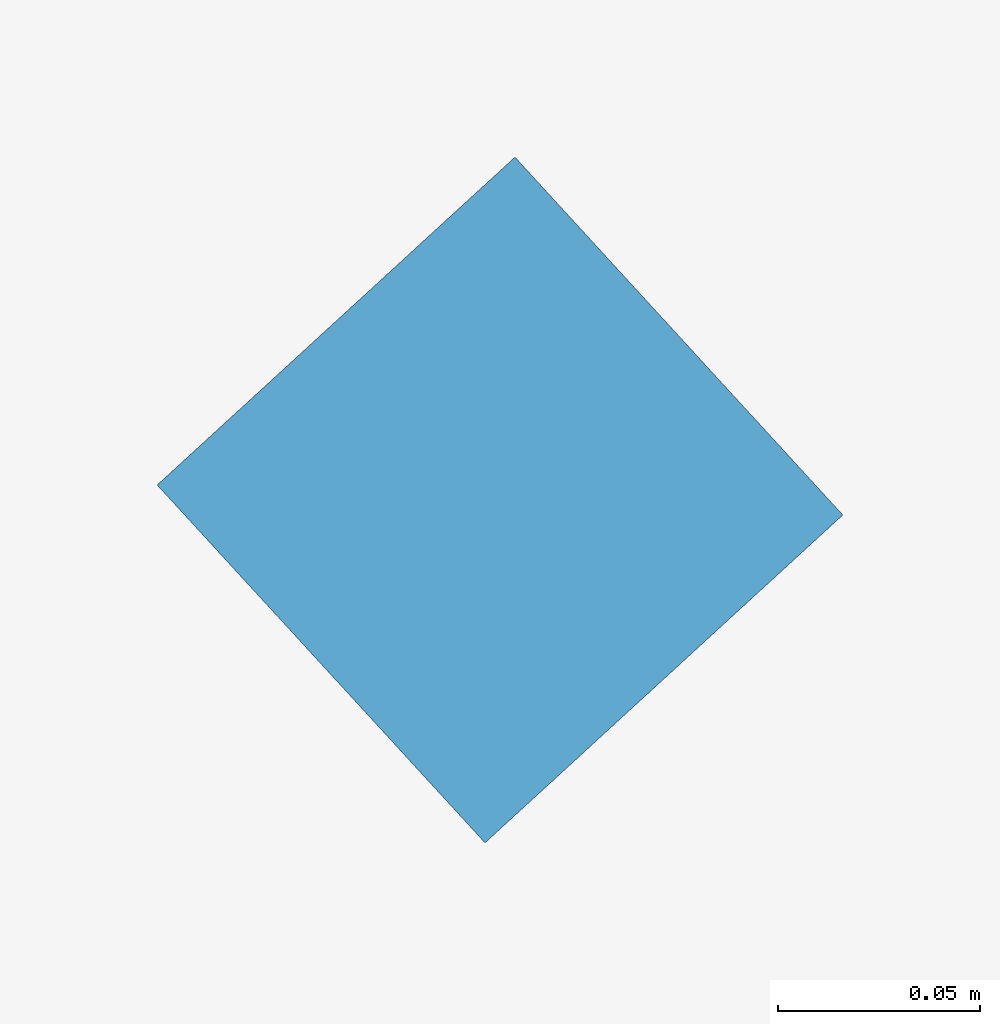
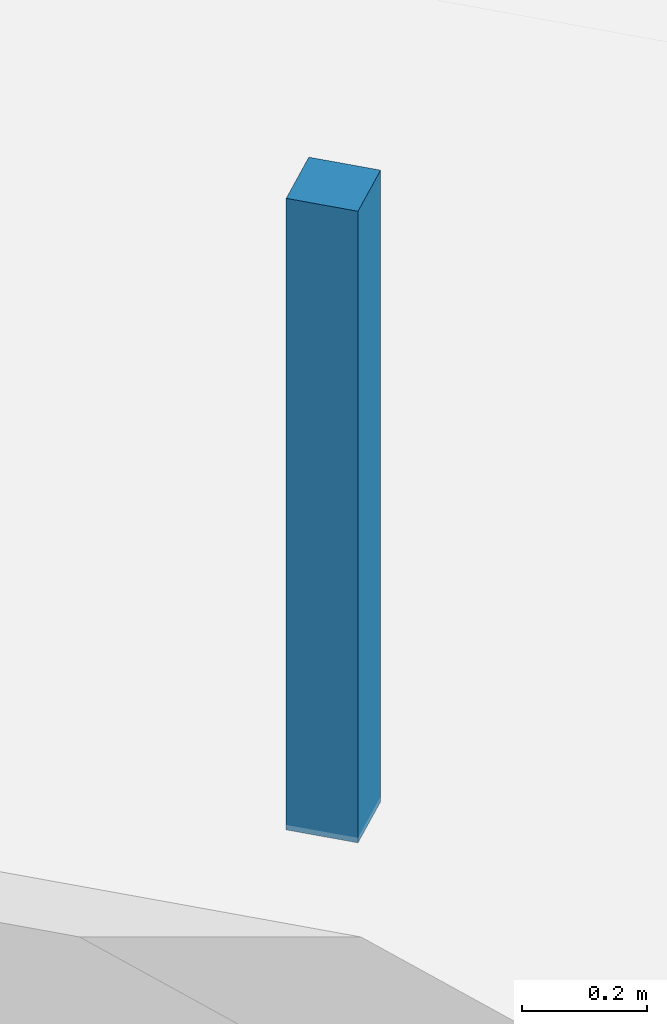
# One storey, part 14 of 17: 1 discrete accessory.
"""IFC4 building model written with IfcOpenShell, lengths in metres."""

from ifc_helpers import new_model, si_unit, direction, frame, origin, origin_2d, place, context, subcontext, project, spatial, rectangle, extrude, source, transform, mapped, material, type_object, element, save


model = new_model("IFC4")

# Units and contexts
model_context = context("Model", 3, precision=1e-05, world=origin(), true_north=direction((0.0, 1.0)))
body_context = subcontext(model_context, "Body", "Model", "MODEL_VIEW")
ifc_project = project(units=[si_unit("LENGTHUNIT", "METRE"), si_unit("AREAUNIT", "SQUARE_METRE"), si_unit("VOLUMEUNIT", "CUBIC_METRE"), si_unit("PLANEANGLEUNIT", "RADIAN"), si_unit("MASSUNIT", "GRAM", prefix="KILO")], contexts=[model_context])

# Site, building, storey
site_placement = place(None, origin())
site = spatial("IfcSite", under=ifc_project, at=site_placement, CompositionType="ELEMENT")
building_placement = place(site_placement, origin())
building = spatial("IfcBuilding", under=site, at=building_placement, Name="Torre Montelarca", CompositionType="ELEMENT")
storey_placement = place(building_placement, frame((0.0, 0.0, 254.199951171875)))
storey = spatial("IfcBuildingStorey", under=building, at=storey_placement, Name="L57", CompositionType="ELEMENT", Elevation=254.199951171875)

# Discrete accessory
ifc_material = material(Name="Galvanized steel suspension hanger", Category="steel")
discrete_accessory_type = type_object("IfcDiscreteAccessoryType", Name="ACC-CEIL-HNG", PredefinedType="BRACKET", material=ifc_material)
shared_shape = source(origin(), body_context, "Body", "SweptSolid", [
    extrude(rectangle(XDim=0.1201171875, YDim=0.1201171875, at=origin_2d()), origin(), (0.0, 0.0, 1.0), 1.22998046875),
])
discrete_accessory_placement = place(storey_placement, frame((31.837646484375, 27.231201171875, 2.75), z_axis=(0.0, 0.0, 1.0), x_axis=(-0.675590207616, 0.73727733681, 0.0)))
element("IfcDiscreteAccessory", 1, at=discrete_accessory_placement, inside=storey, type_object=discrete_accessory_type, Name="L57 Suspended Ceiling Hanger Bracket 01", PredefinedType="BRACKET", context=body_context, shape_type="MappedRepresentation", body=[
    mapped(shared_shape, transform((0.0, 0.0, 0.0), scale=1.0)),
])

save(model, "model.ifc")
